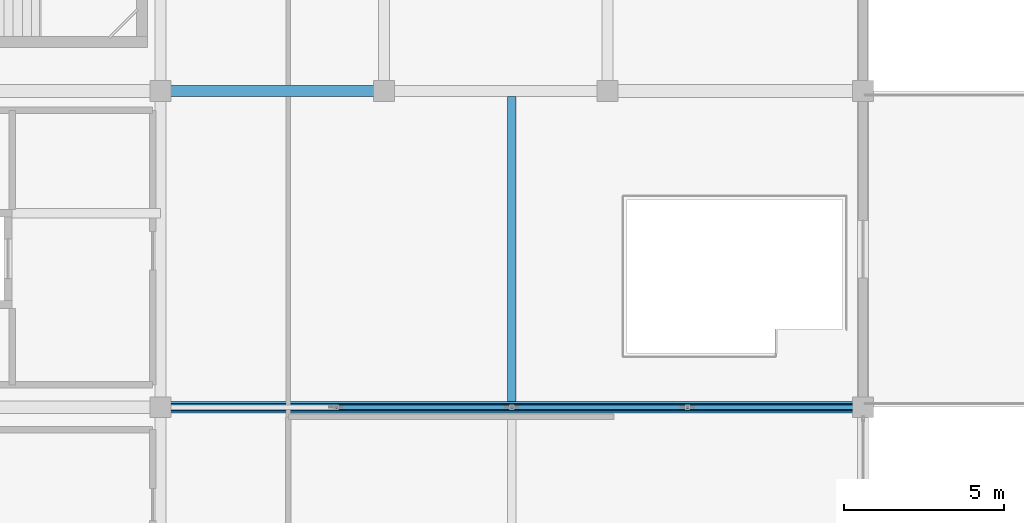
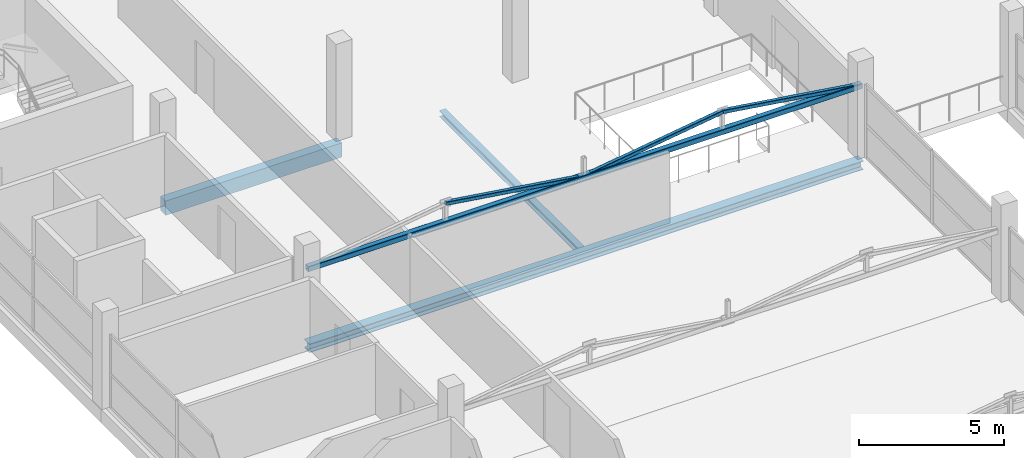
# One storey, part 27 of 53: 4 members, 3 beams.
"""IFC4 building model written with IfcOpenShell, lengths in metres."""

from ifc_helpers import new_model, si_unit, direction, frame, origin, origin_2d, place, context, subcontext, project, spatial, rectangle, hollow_rectangle, i_section, extrude, material, material_profile, profile_set, type_object, element, save


model = new_model("IFC4")

# Units and contexts
model_context = context("Model", 3, precision=1e-05, world=origin(), true_north=direction((0.0, 1.0)))
body_context = subcontext(model_context, "Body", "Model", "MODEL_VIEW")
ifc_project = project(units=[si_unit("LENGTHUNIT", "METRE"), si_unit("AREAUNIT", "SQUARE_METRE"), si_unit("VOLUMEUNIT", "CUBIC_METRE"), si_unit("PLANEANGLEUNIT", "RADIAN"), si_unit("MASSUNIT", "GRAM", prefix="KILO")], contexts=[model_context])

# Site, building, storey
site_placement = place(None, origin())
site = spatial("IfcSite", under=ifc_project, at=site_placement, CompositionType="ELEMENT")
building_placement = place(site_placement, origin())
building = spatial("IfcBuilding", under=site, at=building_placement, Name="Sillaruma Civic Art Gallery", CompositionType="ELEMENT")
storey_placement = place(building_placement, frame((0.0, 0.0, 70.3798828125)))
storey = spatial("IfcBuildingStorey", under=building, at=storey_placement, Name="L14", CompositionType="ELEMENT", Elevation=70.3798828125)

# Beams
ifc_material_1 = material(Name="Concrete H35 (35 MPa)", Category="concrete")
ifc_material_profile_1 = material_profile(ifc_material_1, rectangle(XDim=0.35009765625, YDim=0.60009765625, at=origin_2d()), Name="RCB350x600")
ifc_profile_set_1 = profile_set([ifc_material_profile_1], Name="Concrete H35 (35 MPa)")
beam_type_1 = type_object("IfcBeamType", Name="BM-BEAM-RCB350x600", PredefinedType="BEAM", material=ifc_profile_set_1)
beam_1_placement = place(storey_placement, frame((70.0, 79.199951171875, -0.5498046875), z_axis=(1.0, 0.0, 0.0), x_axis=(0.0, 1.0, 0.0)))
element("IfcBeam", 1, at=beam_1_placement, inside=storey, type_object=beam_type_1, Name="Beam BM-06 (L13:9:G-H)", PredefinedType="BEAM", context=body_context, shape_type="SweptSolid", body=[
    extrude(rectangle(XDim=0.35009765625, YDim=0.60009765625, at=origin_2d()), origin(), (0.0, 0.0, 1.0), 7.0),
])
ifc_material_2 = material(Name="Structural Steel ASTM A992 Gr.50", Category="steel")
ifc_material_profile_2 = material_profile(ifc_material_2, i_section(OverallWidth=0.256103515625, OverallDepth=0.260009765625, WebThickness=0.0107421875, FlangeThickness=0.017333984375, FilletRadius=0.012939453125, at=origin_2d()), Name="W250x89")
ifc_profile_set_2 = profile_set([ifc_material_profile_2], Name="Structural Steel ASTM A992 Gr.50")
beam_type_2 = type_object("IfcBeamType", Name="BM-JOIST-W250x89", PredefinedType="JOIST", material=ifc_profile_set_2)
beam_2_placement = place(storey_placement, frame((81.0, 69.485595703125, -0.3798828125), z_axis=(0.0, 1.0, 0.0), x_axis=(-1.0, 0.0, 0.0)))
element("IfcBeam", 2, at=beam_2_placement, inside=storey, type_object=beam_type_2, Name="Long-Span Gallery Joist JS-04 (L13:8-9)", PredefinedType="JOIST", context=body_context, shape_type="SweptSolid", body=[
    extrude(i_section(OverallWidth=0.256103515625, OverallDepth=0.260009765625, WebThickness=0.0107421875, FlangeThickness=0.017333984375, FilletRadius=0.012939453125, at=origin_2d()), origin(), (0.0, 0.0, 1.0), 9.539306640625),
])
ifc_material_profile_3 = material_profile(ifc_material_2, i_section(OverallWidth=0.37109375, OverallDepth=0.364013671875, WebThickness=0.01318359375, FlangeThickness=0.021728515625, FilletRadius=0.014892578125, at=origin_2d()), Name="W360x162")
ifc_profile_set_3 = profile_set([ifc_material_profile_3], Name="Structural Steel ASTM A992 Gr.50")
beam_type_3 = type_object("IfcBeamType", Name="BM-TRTOP-W360x162", PredefinedType="BEAM", material=ifc_profile_set_3)
beam_3_placement = place(storey_placement, frame((70.0, 69.300048828125, -0.431884765625), z_axis=(1.0, 0.0, 0.0), x_axis=(0.0, 1.0, 0.0)))
element("IfcBeam", 3, at=beam_3_placement, inside=storey, type_object=beam_type_3, Name="Warren Truss Top Chord TR-L13-3", PredefinedType="BEAM", context=body_context, shape_type="SweptSolid", body=[
    extrude(i_section(OverallWidth=0.37109375, OverallDepth=0.364013671875, WebThickness=0.01318359375, FlangeThickness=0.021728515625, FilletRadius=0.014892578125, at=origin_2d()), origin(), (0.0, 0.0, 1.0), 22.0),
])

# Members
ifc_material_3 = material(Name="Structural Steel ASTM A500 Gr.C", Category="steel")
ifc_material_profile_4 = material_profile(ifc_material_3, hollow_rectangle(XDim=0.14990234375, YDim=0.14990234375, WallThickness=0.010009765625, InnerFilletRadius=0.010009765625, OuterFilletRadius=0.02001953125, at=origin_2d()), Name="HSS150x150x10")
ifc_profile_set_4 = profile_set([ifc_material_profile_4], Name="Structural Steel ASTM A500 Gr.C")
member_type_1 = type_object("IfcMemberType", Name="MEM-BRACE-HSS150x150x10", PredefinedType="BRACE", material=ifc_profile_set_4)
for number, where, z_axis, x_axis, name in (
    (4, (75.5, 69.300048828125, 3.648193359375), (0.989377720719, 0.0, -0.145367553959), (0.0, 1.0, 0.0), "Warren Truss Diagonal TR-L14-3-D2"),
    (5, (81.0, 69.300048828125, 2.840087890625), (0.989377720719, 0.0, 0.145367553959), (0.0, 1.0, 0.0), "Warren Truss Diagonal TR-L14-3-D3"),
    (6, (86.5, 69.300048828125, 3.648193359375), (0.989377720719, 0.0, -0.145367553959), (0.0, 1.0, 0.0), "Warren Truss Diagonal TR-L14-3-D4"),
):
    element("IfcMember", number, at=place(storey_placement, frame(where, z_axis=z_axis, x_axis=x_axis)), inside=storey, type_object=member_type_1, Name=name, PredefinedType="BRACE", context=body_context, shape_type="SweptSolid", body=[
        extrude(hollow_rectangle(XDim=0.14990234375, YDim=0.14990234375, WallThickness=0.010009765625, InnerFilletRadius=0.010009765625, OuterFilletRadius=0.02001953125, at=origin_2d()), origin(), (0.0, 0.0, 1.0), 5.55908203125),
    ])
ifc_material_profile_5 = material_profile(ifc_material_3, hollow_rectangle(XDim=0.219970703125, YDim=0.219970703125, WallThickness=0.012451171875, InnerFilletRadius=0.012451171875, OuterFilletRadius=0.02490234375, at=origin_2d()), Name="HSS220x220x12.5")
ifc_profile_set_5 = profile_set([ifc_material_profile_5], Name="Structural Steel ASTM A500 Gr.C")
member_type_2 = type_object("IfcMemberType", Name="MEM-CHORD-HSS220x220x12.5", PredefinedType="CHORD", material=ifc_profile_set_5)
member_placement = place(storey_placement, frame((70.0, 69.300048828125, 2.840087890625), z_axis=(1.0, 0.0, 0.0), x_axis=(0.0, 1.0, 0.0)))
element("IfcMember", 7, at=member_placement, inside=storey, type_object=member_type_2, Name="Warren Truss Bottom Chord TR-L14-3", PredefinedType="CHORD", context=body_context, shape_type="SweptSolid", body=[
    extrude(hollow_rectangle(XDim=0.219970703125, YDim=0.219970703125, WallThickness=0.012451171875, InnerFilletRadius=0.012451171875, OuterFilletRadius=0.02490234375, at=origin_2d()), origin(), (0.0, 0.0, 1.0), 22.0),
])

save(model, "model.ifc")
